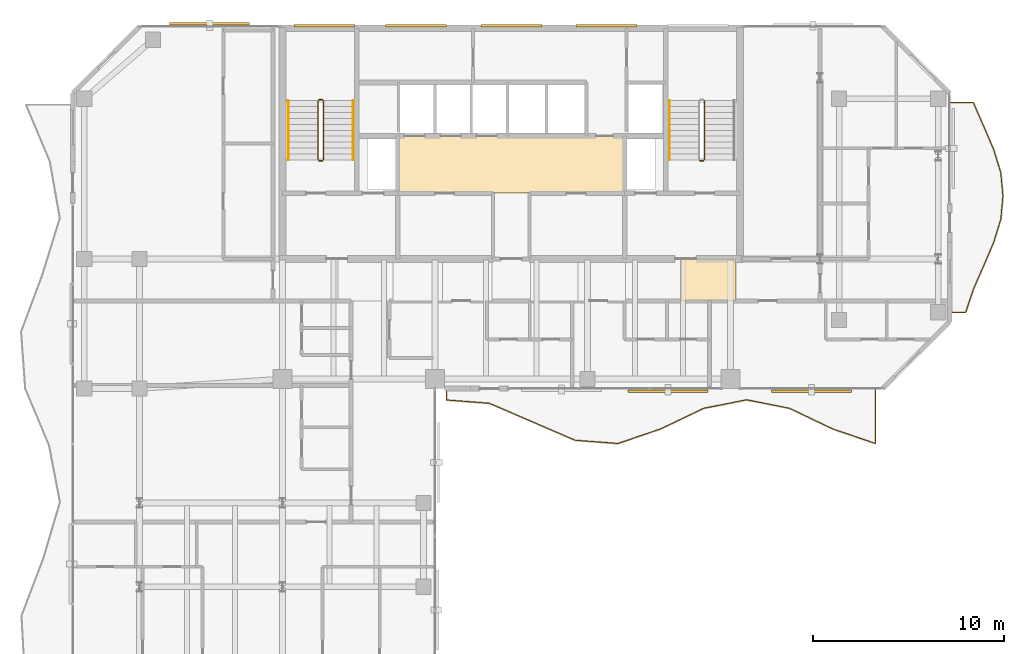
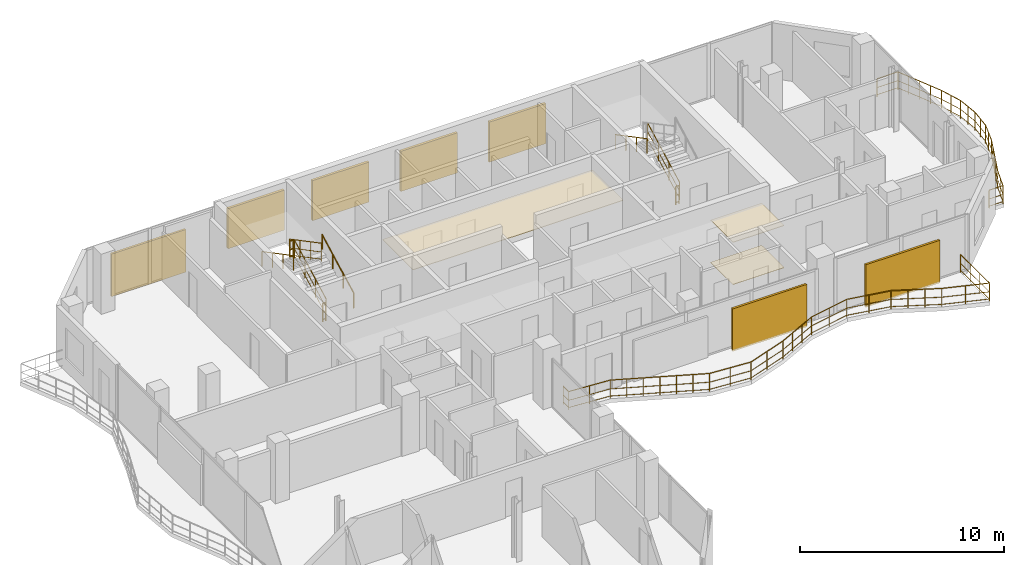
# One storey, part 22 of 23: 11 railings, 7 shading devices, 3 coverings.
"""IFC4 building model written with IfcOpenShell, lengths in metres."""

from ifc_helpers import new_model, si_unit, direction, frame, origin, origin_2d, place, context, subcontext, project, spatial, polyline, rectangle, circle, outline, extrude, material, layer, layer_set, type_object, element, save


model = new_model("IFC4")

# Units and contexts
model_context = context("Model", 3, precision=1e-05, world=origin(), true_north=direction((0.0, 1.0)))
body_context = subcontext(model_context, "Body", "Model", "MODEL_VIEW")
ifc_project = project(units=[si_unit("LENGTHUNIT", "METRE"), si_unit("AREAUNIT", "SQUARE_METRE"), si_unit("VOLUMEUNIT", "CUBIC_METRE"), si_unit("PLANEANGLEUNIT", "RADIAN"), si_unit("MASSUNIT", "GRAM", prefix="KILO")], contexts=[model_context])

# Site, building, storey
site_placement = place(None, origin())
site = spatial("IfcSite", under=ifc_project, at=site_placement, CompositionType="ELEMENT")
building_placement = place(site_placement, origin())
building = spatial("IfcBuilding", under=site, at=building_placement, Name="Catumbela Crestline Tower", CompositionType="ELEMENT")
storey_placement = place(building_placement, frame((0.0, 0.0, 179.4)))
storey = spatial("IfcBuildingStorey", under=building, at=storey_placement, Name="L46", CompositionType="ELEMENT", Elevation=179.4)

# Coverings
ifc_material_1 = material(Name="Mineral-fibre acoustic ceiling")
ifc_layer_1 = layer(ifc_material_1, 0.03, Name="Mineral-fibre acoustic ceiling")
ifc_layer_set_1 = layer_set([ifc_layer_1], Name="Mineral-fibre acoustic ceiling")
covering_type_1 = type_object("IfcCoveringType", Name="CC-AC", PredefinedType="CEILING", material=ifc_layer_set_1)
covering_1_placement = place(storey_placement, frame((0.0, 0.0, 2.65)))
element("IfcCovering", 1, at=covering_1_placement, inside=storey, type_object=covering_type_1, Name="L46 Lift Lobby Acoustic Ceiling", PredefinedType="CEILING", context=body_context, shape_type="SweptSolid", body=[
    extrude(outline(polyline([(22.05, 34.25), (33.95, 34.25), (33.95, 37.25), (22.05, 37.25), (22.05, 34.25)])), origin(), (0.0, 0.0, 1.0), 0.03),
])
covering_2_placement = place(storey_placement, frame((0.0, 0.0, 2.52)))
element("IfcCovering", 2, at=covering_2_placement, inside=storey, type_object=covering_type_1, Name="L46 Corridor Acoustic Ceiling Bay 8", PredefinedType="CEILING", context=body_context, shape_type="SweptSolid", body=[
    extrude(outline(polyline([(36.9, 28.6), (39.8, 28.6), (39.8, 30.8), (36.9, 30.8), (36.9, 28.6)])), origin(), (0.0, 0.0, 1.0), 0.03),
])
ifc_material_2 = material(Name="Angolan grey-ochre granite", Category="masonry")
ifc_layer_2 = layer(ifc_material_2, 0.025, Name="Angolan grey-ochre granite")
ifc_layer_set_2 = layer_set([ifc_layer_2], Name="Angolan grey-ochre granite")
covering_type_2 = type_object("IfcCoveringType", Name="CF-GR", PredefinedType="FLOORING", material=ifc_layer_set_2)
covering_3_placement = place(storey_placement, origin())
element("IfcCovering", 3, at=covering_3_placement, inside=storey, type_object=covering_type_2, Name="L46 Corridor Granite Flooring Bay 8", PredefinedType="FLOORING", context=body_context, shape_type="SweptSolid", body=[
    extrude(outline(polyline([(36.9, 28.6), (39.8, 28.6), (39.8, 30.8), (36.9, 30.8), (36.9, 28.6)])), origin(), (0.0, 0.0, 1.0), 0.025),
])

# Railings
ifc_material_3 = material(Name="Stainless steel EN 1.4401", Category="steel")
railing_type_1 = type_object("IfcRailingType", Name="RB-1100", PredefinedType="BALUSTRADE", material=ifc_material_3)
railing_1_placement = place(storey_placement, frame((24.6, 23.94, 0.0)))
element("IfcRailing", 4, at=railing_1_placement, inside=storey, type_object=railing_type_1, Name="L46 Private Wave Balcony Balustrade 1", PredefinedType="BALUSTRADE", context=body_context, shape_type="SweptSolid", body=[
    extrude(circle(Radius=0.024, at=origin_2d()), frame((0.0, 0.0, 1.076), z_axis=(0.0, -1.0, 0.0), x_axis=(1.0, 0.0, 0.0)), (0.0, 0.0, 1.0), 0.5387),
    extrude(circle(Radius=0.0156, at=origin_2d()), frame((0.0, 0.0, 0.55), z_axis=(0.0, -1.0, 0.0), x_axis=(1.0, 0.0, 0.0)), (0.0, 0.0, 1.0), 0.5387),
    extrude(circle(Radius=0.0156, at=origin_2d()), frame((0.0, 0.0, 0.12), z_axis=(0.0, -1.0, 0.0), x_axis=(1.0, 0.0, 0.0)), (0.0, 0.0, 1.0), 0.5387),
    extrude(circle(Radius=0.024, at=origin_2d()), frame((0.0, -0.5387, 1.076), z_axis=(0.997141170455, -0.075561142028, 0.0), x_axis=(0.075561142028, 0.997141170455, 0.0)), (0.0, 0.0, 1.0), 2.2565),
    extrude(circle(Radius=0.0156, at=origin_2d()), frame((0.0, -0.5387, 0.55), z_axis=(0.997141170455, -0.075561142028, 0.0), x_axis=(0.075561142028, 0.997141170455, 0.0)), (0.0, 0.0, 1.0), 2.2565),
    extrude(circle(Radius=0.0156, at=origin_2d()), frame((0.0, -0.5387, 0.12), z_axis=(0.997141170455, -0.075561142028, 0.0), x_axis=(0.075561142028, 0.997141170455, 0.0)), (0.0, 0.0, 1.0), 2.2565),
    extrude(circle(Radius=0.024, at=origin_2d()), frame((2.25, -0.7092, 1.076), z_axis=(0.918179780553, -0.396163969316, 0.0), x_axis=(0.396163969316, 0.918179780553, 0.0)), (0.0, 0.0, 1.0), 2.4505),
    extrude(circle(Radius=0.0156, at=origin_2d()), frame((2.25, -0.7092, 0.55), z_axis=(0.918179780553, -0.396163969316, 0.0), x_axis=(0.396163969316, 0.918179780553, 0.0)), (0.0, 0.0, 1.0), 2.4505),
    extrude(circle(Radius=0.0156, at=origin_2d()), frame((2.25, -0.7092, 0.12), z_axis=(0.918179780553, -0.396163969316, 0.0), x_axis=(0.396163969316, 0.918179780553, 0.0)), (0.0, 0.0, 1.0), 2.4505),
    extrude(circle(Radius=0.024, at=origin_2d()), frame((4.5, -1.68, 1.076), z_axis=(0.918179780553, -0.396163969316, 0.0), x_axis=(0.396163969316, 0.918179780553, 0.0)), (0.0, 0.0, 1.0), 2.4505),
    extrude(circle(Radius=0.0156, at=origin_2d()), frame((4.5, -1.68, 0.55), z_axis=(0.918179780553, -0.396163969316, 0.0), x_axis=(0.396163969316, 0.918179780553, 0.0)), (0.0, 0.0, 1.0), 2.4505),
    extrude(circle(Radius=0.0156, at=origin_2d()), frame((4.5, -1.68, 0.12), z_axis=(0.918179780553, -0.396163969316, 0.0), x_axis=(0.396163969316, 0.918179780553, 0.0)), (0.0, 0.0, 1.0), 2.4505),
    extrude(circle(Radius=0.024, at=origin_2d()), frame((6.75, -2.6508, 1.076), z_axis=(0.997141170455, -0.075561142028, 0.0), x_axis=(0.075561142028, 0.997141170455, 0.0)), (0.0, 0.0, 1.0), 2.2565),
    extrude(circle(Radius=0.0156, at=origin_2d()), frame((6.75, -2.6508, 0.55), z_axis=(0.997141170455, -0.075561142028, 0.0), x_axis=(0.075561142028, 0.997141170455, 0.0)), (0.0, 0.0, 1.0), 2.2565),
    extrude(circle(Radius=0.0156, at=origin_2d()), frame((6.75, -2.6508, 0.12), z_axis=(0.997141170455, -0.075561142028, 0.0), x_axis=(0.075561142028, 0.997141170455, 0.0)), (0.0, 0.0, 1.0), 2.2565),
    extrude(circle(Radius=0.024, at=origin_2d()), frame((9.0, -2.8213, 1.076), z_axis=(0.946065665735, 0.323974931311, 0.0), x_axis=(-0.323974931311, 0.946065665735, 0.0)), (0.0, 0.0, 1.0), 2.3783),
    extrude(circle(Radius=0.0156, at=origin_2d()), frame((9.0, -2.8213, 0.55), z_axis=(0.946065665735, 0.323974931311, 0.0), x_axis=(-0.323974931311, 0.946065665735, 0.0)), (0.0, 0.0, 1.0), 2.3783),
    extrude(circle(Radius=0.0156, at=origin_2d()), frame((9.0, -2.8213, 0.12), z_axis=(0.946065665735, 0.323974931311, 0.0), x_axis=(-0.323974931311, 0.946065665735, 0.0)), (0.0, 0.0, 1.0), 2.3783),
    extrude(circle(Radius=0.024, at=origin_2d()), frame((11.25, -2.0508, 1.076), z_axis=(0.902132186045, 0.431459753513, 0.0), x_axis=(-0.431459753513, 0.902132186045, 0.0)), (0.0, 0.0, 1.0), 2.4941),
    extrude(circle(Radius=0.0156, at=origin_2d()), frame((11.25, -2.0508, 0.55), z_axis=(0.902132186045, 0.431459753513, 0.0), x_axis=(-0.431459753513, 0.902132186045, 0.0)), (0.0, 0.0, 1.0), 2.4941),
    extrude(circle(Radius=0.0156, at=origin_2d()), frame((11.25, -2.0508, 0.12), z_axis=(0.902132186045, 0.431459753513, 0.0), x_axis=(-0.431459753513, 0.902132186045, 0.0)), (0.0, 0.0, 1.0), 2.4941),
    extrude(circle(Radius=0.024, at=origin_2d()), frame((13.5, -0.9747, 1.076), z_axis=(0.981022553047, 0.193893657484, 0.0), x_axis=(-0.193893657484, 0.981022553047, 0.0)), (0.0, 0.0, 1.0), 2.2935),
    extrude(circle(Radius=0.0156, at=origin_2d()), frame((13.5, -0.9747, 0.55), z_axis=(0.981022553047, 0.193893657484, 0.0), x_axis=(-0.193893657484, 0.981022553047, 0.0)), (0.0, 0.0, 1.0), 2.2935),
    extrude(circle(Radius=0.0156, at=origin_2d()), frame((13.5, -0.9747, 0.12), z_axis=(0.981022553047, 0.193893657484, 0.0), x_axis=(-0.193893657484, 0.981022553047, 0.0)), (0.0, 0.0, 1.0), 2.2935),
    extrude(circle(Radius=0.024, at=origin_2d()), frame((15.75, -0.53, 1.076), z_axis=(0.981022553047, -0.193893657484, 0.0), x_axis=(0.193893657484, 0.981022553047, 0.0)), (0.0, 0.0, 1.0), 2.2935),
    extrude(circle(Radius=0.0156, at=origin_2d()), frame((15.75, -0.53, 0.55), z_axis=(0.981022553047, -0.193893657484, 0.0), x_axis=(0.193893657484, 0.981022553047, 0.0)), (0.0, 0.0, 1.0), 2.2935),
    extrude(circle(Radius=0.0156, at=origin_2d()), frame((15.75, -0.53, 0.12), z_axis=(0.981022553047, -0.193893657484, 0.0), x_axis=(0.193893657484, 0.981022553047, 0.0)), (0.0, 0.0, 1.0), 2.2935),
    extrude(circle(Radius=0.024, at=origin_2d()), frame((18.0, -0.9747, 1.076), z_axis=(0.902132186045, -0.431459753513, 0.0), x_axis=(0.431459753513, 0.902132186045, 0.0)), (0.0, 0.0, 1.0), 2.4941),
    extrude(circle(Radius=0.0156, at=origin_2d()), frame((18.0, -0.9747, 0.55), z_axis=(0.902132186045, -0.431459753513, 0.0), x_axis=(0.431459753513, 0.902132186045, 0.0)), (0.0, 0.0, 1.0), 2.4941),
    extrude(circle(Radius=0.0156, at=origin_2d()), frame((18.0, -0.9747, 0.12), z_axis=(0.902132186045, -0.431459753513, 0.0), x_axis=(0.431459753513, 0.902132186045, 0.0)), (0.0, 0.0, 1.0), 2.4941),
    extrude(circle(Radius=0.024, at=origin_2d()), frame((20.25, -2.0508, 1.076), z_axis=(0.946065665735, -0.323974931311, 0.0), x_axis=(0.323974931311, 0.946065665735, 0.0)), (0.0, 0.0, 1.0), 2.3783),
    extrude(circle(Radius=0.0156, at=origin_2d()), frame((20.25, -2.0508, 0.55), z_axis=(0.946065665735, -0.323974931311, 0.0), x_axis=(0.323974931311, 0.946065665735, 0.0)), (0.0, 0.0, 1.0), 2.3783),
    extrude(circle(Radius=0.0156, at=origin_2d()), frame((20.25, -2.0508, 0.12), z_axis=(0.946065665735, -0.323974931311, 0.0), x_axis=(0.323974931311, 0.946065665735, 0.0)), (0.0, 0.0, 1.0), 2.3783),
    extrude(circle(Radius=0.024, at=origin_2d()), frame((22.5, -2.8213, 1.076), z_axis=(0.0, 1.0, 0.0), x_axis=(-1.0, 0.0, 0.0)), (0.0, 0.0, 1.0), 2.8213),
    extrude(circle(Radius=0.0156, at=origin_2d()), frame((22.5, -2.8213, 0.55), z_axis=(0.0, 1.0, 0.0), x_axis=(-1.0, 0.0, 0.0)), (0.0, 0.0, 1.0), 2.8213),
    extrude(circle(Radius=0.0156, at=origin_2d()), frame((22.5, -2.8213, 0.12), z_axis=(0.0, 1.0, 0.0), x_axis=(-1.0, 0.0, 0.0)), (0.0, 0.0, 1.0), 2.8213),
    extrude(circle(Radius=0.021, at=origin_2d()), origin(), (0.0, 0.0, 1.0), 1.052),
    extrude(circle(Radius=0.021, at=origin_2d()), frame((0.0, -0.5387, 0.0)), (0.0, 0.0, 1.0), 1.052),
    extrude(circle(Radius=0.021, at=origin_2d()), frame((1.125, -0.624, 0.0)), (0.0, 0.0, 1.0), 1.052),
    extrude(circle(Radius=0.021, at=origin_2d()), frame((2.25, -0.7092, 0.0)), (0.0, 0.0, 1.0), 1.052),
    extrude(circle(Radius=0.021, at=origin_2d()), frame((3.0, -1.0328, 0.0)), (0.0, 0.0, 1.0), 1.052),
    extrude(circle(Radius=0.021, at=origin_2d()), frame((3.75, -1.3564, 0.0)), (0.0, 0.0, 1.0), 1.052),
    extrude(circle(Radius=0.021, at=origin_2d()), frame((4.5, -1.68, 0.0)), (0.0, 0.0, 1.0), 1.052),
    extrude(circle(Radius=0.021, at=origin_2d()), frame((5.25, -2.0036, 0.0)), (0.0, 0.0, 1.0), 1.052),
    extrude(circle(Radius=0.021, at=origin_2d()), frame((6.0, -2.3272, 0.0)), (0.0, 0.0, 1.0), 1.052),
    extrude(circle(Radius=0.021, at=origin_2d()), frame((6.75, -2.6508, 0.0)), (0.0, 0.0, 1.0), 1.052),
    extrude(circle(Radius=0.021, at=origin_2d()), frame((7.875, -2.7361, 0.0)), (0.0, 0.0, 1.0), 1.052),
    extrude(circle(Radius=0.021, at=origin_2d()), frame((9.0, -2.8213, 0.0)), (0.0, 0.0, 1.0), 1.052),
    extrude(circle(Radius=0.021, at=origin_2d()), frame((10.125, -2.4361, 0.0)), (0.0, 0.0, 1.0), 1.052),
    extrude(circle(Radius=0.021, at=origin_2d()), frame((11.25, -2.0508, 0.0)), (0.0, 0.0, 1.0), 1.052),
    extrude(circle(Radius=0.021, at=origin_2d()), frame((12.0, -1.6921, 0.0)), (0.0, 0.0, 1.0), 1.052),
    extrude(circle(Radius=0.021, at=origin_2d()), frame((12.75, -1.3334, 0.0)), (0.0, 0.0, 1.0), 1.052),
    extrude(circle(Radius=0.021, at=origin_2d()), frame((13.5, -0.9747, 0.0)), (0.0, 0.0, 1.0), 1.052),
    extrude(circle(Radius=0.021, at=origin_2d()), frame((14.625, -0.7524, 0.0)), (0.0, 0.0, 1.0), 1.052),
    extrude(circle(Radius=0.021, at=origin_2d()), frame((15.75, -0.53, 0.0)), (0.0, 0.0, 1.0), 1.052),
    extrude(circle(Radius=0.021, at=origin_2d()), frame((16.875, -0.7524, 0.0)), (0.0, 0.0, 1.0), 1.052),
    extrude(circle(Radius=0.021, at=origin_2d()), frame((18.0, -0.9747, 0.0)), (0.0, 0.0, 1.0), 1.052),
    extrude(circle(Radius=0.021, at=origin_2d()), frame((18.75, -1.3334, 0.0)), (0.0, 0.0, 1.0), 1.052),
    extrude(circle(Radius=0.021, at=origin_2d()), frame((19.5, -1.6921, 0.0)), (0.0, 0.0, 1.0), 1.052),
    extrude(circle(Radius=0.021, at=origin_2d()), frame((20.25, -2.0508, 0.0)), (0.0, 0.0, 1.0), 1.052),
    extrude(circle(Radius=0.021, at=origin_2d()), frame((21.375, -2.4361, 0.0)), (0.0, 0.0, 1.0), 1.052),
    extrude(circle(Radius=0.021, at=origin_2d()), frame((22.5, -2.8213, 0.0)), (0.0, 0.0, 1.0), 1.052),
    extrude(circle(Radius=0.021, at=origin_2d()), frame((22.5, -1.8809, 0.0)), (0.0, 0.0, 1.0), 1.052),
    extrude(circle(Radius=0.021, at=origin_2d()), frame((22.5, -0.9404, 0.0)), (0.0, 0.0, 1.0), 1.052),
    extrude(circle(Radius=0.021, at=origin_2d()), frame((22.5, 0.0, 0.0)), (0.0, 0.0, 1.0), 1.052),
])
railing_2_placement = place(storey_placement, frame((51.06, 28.0, 0.0)))
element("IfcRailing", 5, at=railing_2_placement, inside=storey, type_object=railing_type_1, Name="L46 Private Wave Balcony Balustrade 2", PredefinedType="BALUSTRADE", context=body_context, shape_type="SweptSolid", body=[
    extrude(circle(Radius=0.024, at=origin_2d()), frame((0.0, 0.0, 1.076), z_axis=(1.0, 0.0, 0.0), x_axis=(0.0, 1.0, 0.0)), (0.0, 0.0, 1.0), 0.7801),
    extrude(circle(Radius=0.0156, at=origin_2d()), frame((0.0, 0.0, 0.55), z_axis=(1.0, 0.0, 0.0), x_axis=(0.0, 1.0, 0.0)), (0.0, 0.0, 1.0), 0.7801),
    extrude(circle(Radius=0.0156, at=origin_2d()), frame((0.0, 0.0, 0.12), z_axis=(1.0, 0.0, 0.0), x_axis=(0.0, 1.0, 0.0)), (0.0, 0.0, 1.0), 0.7801),
    extrude(circle(Radius=0.024, at=origin_2d()), frame((0.7801, 0.0, 1.076), z_axis=(0.316576995993, 0.948566816628, 0.0), x_axis=(-0.948566816628, 0.316576995993, 0.0)), (0.0, 0.0, 1.0), 1.2885),
    extrude(circle(Radius=0.0156, at=origin_2d()), frame((0.7801, 0.0, 0.55), z_axis=(0.316576995993, 0.948566816628, 0.0), x_axis=(-0.948566816628, 0.316576995993, 0.0)), (0.0, 0.0, 1.0), 1.2885),
    extrude(circle(Radius=0.0156, at=origin_2d()), frame((0.7801, 0.0, 0.12), z_axis=(0.316576995993, 0.948566816628, 0.0), x_axis=(-0.948566816628, 0.316576995993, 0.0)), (0.0, 0.0, 1.0), 1.2885),
    extrude(circle(Radius=0.024, at=origin_2d()), frame((1.188, 1.2222, 1.076), z_axis=(0.400433361112, 0.916325882702, 0.0), x_axis=(-0.916325882702, 0.400433361112, 0.0)), (0.0, 0.0, 1.0), 1.3338),
    extrude(circle(Radius=0.0156, at=origin_2d()), frame((1.188, 1.2222, 0.55), z_axis=(0.400433361112, 0.916325882702, 0.0), x_axis=(-0.916325882702, 0.400433361112, 0.0)), (0.0, 0.0, 1.0), 1.3338),
    extrude(circle(Radius=0.0156, at=origin_2d()), frame((1.188, 1.2222, 0.12), z_axis=(0.400433361112, 0.916325882702, 0.0), x_axis=(-0.916325882702, 0.400433361112, 0.0)), (0.0, 0.0, 1.0), 1.3338),
    extrude(circle(Radius=0.024, at=origin_2d()), frame((1.7221, 2.4444, 1.076), z_axis=(0.39357434186, 0.919292792003, 0.0), x_axis=(-0.919292792003, 0.39357434186, 0.0)), (0.0, 0.0, 1.0), 1.3296),
    extrude(circle(Radius=0.0156, at=origin_2d()), frame((1.7221, 2.4444, 0.55), z_axis=(0.39357434186, 0.919292792003, 0.0), x_axis=(-0.919292792003, 0.39357434186, 0.0)), (0.0, 0.0, 1.0), 1.3296),
    extrude(circle(Radius=0.0156, at=origin_2d()), frame((1.7221, 2.4444, 0.12), z_axis=(0.39357434186, 0.919292792003, 0.0), x_axis=(-0.919292792003, 0.39357434186, 0.0)), (0.0, 0.0, 1.0), 1.3296),
    extrude(circle(Radius=0.024, at=origin_2d()), frame((2.2454, 3.6667, 1.076), z_axis=(0.295683728071, 0.955285890691, 0.0), x_axis=(-0.955285890691, 0.295683728071, 0.0)), (0.0, 0.0, 1.0), 1.2794),
    extrude(circle(Radius=0.0156, at=origin_2d()), frame((2.2454, 3.6667, 0.55), z_axis=(0.295683728071, 0.955285890691, 0.0), x_axis=(-0.955285890691, 0.295683728071, 0.0)), (0.0, 0.0, 1.0), 1.2794),
    extrude(circle(Radius=0.0156, at=origin_2d()), frame((2.2454, 3.6667, 0.12), z_axis=(0.295683728071, 0.955285890691, 0.0), x_axis=(-0.955285890691, 0.295683728071, 0.0)), (0.0, 0.0, 1.0), 1.2794),
    extrude(circle(Radius=0.024, at=origin_2d()), frame((2.6237, 4.8889, 1.076), z_axis=(0.086647203358, 0.996239058736, 0.0), x_axis=(-0.996239058736, 0.086647203358, 0.0)), (0.0, 0.0, 1.0), 1.2268),
    extrude(circle(Radius=0.0156, at=origin_2d()), frame((2.6237, 4.8889, 0.55), z_axis=(0.086647203358, 0.996239058736, 0.0), x_axis=(-0.996239058736, 0.086647203358, 0.0)), (0.0, 0.0, 1.0), 1.2268),
    extrude(circle(Radius=0.0156, at=origin_2d()), frame((2.6237, 4.8889, 0.12), z_axis=(0.086647203358, 0.996239058736, 0.0), x_axis=(-0.996239058736, 0.086647203358, 0.0)), (0.0, 0.0, 1.0), 1.2268),
    extrude(circle(Radius=0.024, at=origin_2d()), frame((2.73, 6.1111, 1.076), z_axis=(-0.090124297241, 0.995930525211, 0.0), x_axis=(-0.995930525211, -0.090124297241, 0.0)), (0.0, 0.0, 1.0), 1.2272),
    extrude(circle(Radius=0.0156, at=origin_2d()), frame((2.73, 6.1111, 0.55), z_axis=(-0.090124297241, 0.995930525211, 0.0), x_axis=(-0.995930525211, -0.090124297241, 0.0)), (0.0, 0.0, 1.0), 1.2272),
    extrude(circle(Radius=0.0156, at=origin_2d()), frame((2.73, 6.1111, 0.12), z_axis=(-0.090124297241, 0.995930525211, 0.0), x_axis=(-0.995930525211, -0.090124297241, 0.0)), (0.0, 0.0, 1.0), 1.2272),
    extrude(circle(Radius=0.024, at=origin_2d()), frame((2.6194, 7.3333, 1.076), z_axis=(-0.297941463031, 0.954584142235, 0.0), x_axis=(-0.954584142235, -0.297941463031, 0.0)), (0.0, 0.0, 1.0), 1.2805),
    extrude(circle(Radius=0.0156, at=origin_2d()), frame((2.6194, 7.3333, 0.55), z_axis=(-0.297941463031, 0.954584142235, 0.0), x_axis=(-0.954584142235, -0.297941463031, 0.0)), (0.0, 0.0, 1.0), 1.2805),
    extrude(circle(Radius=0.0156, at=origin_2d()), frame((2.6194, 7.3333, 0.12), z_axis=(-0.297941463031, 0.954584142235, 0.0), x_axis=(-0.954584142235, -0.297941463031, 0.0)), (0.0, 0.0, 1.0), 1.2805),
    extrude(circle(Radius=0.024, at=origin_2d()), frame((2.2379, 8.5556, 1.076), z_axis=(-0.394427394144, 0.918927108507, 0.0), x_axis=(-0.918927108507, -0.394427394144, 0.0)), (0.0, 0.0, 1.0), 1.33),
    extrude(circle(Radius=0.0156, at=origin_2d()), frame((2.2379, 8.5556, 0.55), z_axis=(-0.394427394144, 0.918927108507, 0.0), x_axis=(-0.918927108507, -0.394427394144, 0.0)), (0.0, 0.0, 1.0), 1.33),
    extrude(circle(Radius=0.0156, at=origin_2d()), frame((2.2379, 8.5556, 0.12), z_axis=(-0.394427394144, 0.918927108507, 0.0), x_axis=(-0.918927108507, -0.394427394144, 0.0)), (0.0, 0.0, 1.0), 1.33),
    extrude(circle(Radius=0.024, at=origin_2d()), frame((1.7133, 9.7778, 1.076), z_axis=(-0.399803560484, 0.916600847165, 0.0), x_axis=(-0.916600847165, -0.399803560484, 0.0)), (0.0, 0.0, 1.0), 1.3334),
    extrude(circle(Radius=0.0156, at=origin_2d()), frame((1.7133, 9.7778, 0.55), z_axis=(-0.399803560484, 0.916600847165, 0.0), x_axis=(-0.916600847165, -0.399803560484, 0.0)), (0.0, 0.0, 1.0), 1.3334),
    extrude(circle(Radius=0.0156, at=origin_2d()), frame((1.7133, 9.7778, 0.12), z_axis=(-0.399803560484, 0.916600847165, 0.0), x_axis=(-0.916600847165, -0.399803560484, 0.0)), (0.0, 0.0, 1.0), 1.3334),
    extrude(circle(Radius=0.024, at=origin_2d()), frame((1.1802, 11.0, 1.076), z_axis=(-1.0, 0.0, 0.0), x_axis=(0.0, -1.0, 0.0)), (0.0, 0.0, 1.0), 1.1802),
    extrude(circle(Radius=0.0156, at=origin_2d()), frame((1.1802, 11.0, 0.55), z_axis=(-1.0, 0.0, 0.0), x_axis=(0.0, -1.0, 0.0)), (0.0, 0.0, 1.0), 1.1802),
    extrude(circle(Radius=0.0156, at=origin_2d()), frame((1.1802, 11.0, 0.12), z_axis=(-1.0, 0.0, 0.0), x_axis=(0.0, -1.0, 0.0)), (0.0, 0.0, 1.0), 1.1802),
    extrude(circle(Radius=0.021, at=origin_2d()), origin(), (0.0, 0.0, 1.0), 1.052),
    extrude(circle(Radius=0.021, at=origin_2d()), frame((0.7801, 0.0, 0.0)), (0.0, 0.0, 1.0), 1.052),
    extrude(circle(Radius=0.021, at=origin_2d()), frame((0.984, 0.6111, 0.0)), (0.0, 0.0, 1.0), 1.052),
    extrude(circle(Radius=0.021, at=origin_2d()), frame((1.188, 1.2222, 0.0)), (0.0, 0.0, 1.0), 1.052),
    extrude(circle(Radius=0.021, at=origin_2d()), frame((1.455, 1.8333, 0.0)), (0.0, 0.0, 1.0), 1.052),
    extrude(circle(Radius=0.021, at=origin_2d()), frame((1.7221, 2.4444, 0.0)), (0.0, 0.0, 1.0), 1.052),
    extrude(circle(Radius=0.021, at=origin_2d()), frame((1.9837, 3.0556, 0.0)), (0.0, 0.0, 1.0), 1.052),
    extrude(circle(Radius=0.021, at=origin_2d()), frame((2.2454, 3.6667, 0.0)), (0.0, 0.0, 1.0), 1.052),
    extrude(circle(Radius=0.021, at=origin_2d()), frame((2.4345, 4.2778, 0.0)), (0.0, 0.0, 1.0), 1.052),
    extrude(circle(Radius=0.021, at=origin_2d()), frame((2.6237, 4.8889, 0.0)), (0.0, 0.0, 1.0), 1.052),
    extrude(circle(Radius=0.021, at=origin_2d()), frame((2.6768, 5.5, 0.0)), (0.0, 0.0, 1.0), 1.052),
    extrude(circle(Radius=0.021, at=origin_2d()), frame((2.73, 6.1111, 0.0)), (0.0, 0.0, 1.0), 1.052),
    extrude(circle(Radius=0.021, at=origin_2d()), frame((2.6747, 6.7222, 0.0)), (0.0, 0.0, 1.0), 1.052),
    extrude(circle(Radius=0.021, at=origin_2d()), frame((2.6194, 7.3333, 0.0)), (0.0, 0.0, 1.0), 1.052),
    extrude(circle(Radius=0.021, at=origin_2d()), frame((2.4286, 7.9444, 0.0)), (0.0, 0.0, 1.0), 1.052),
    extrude(circle(Radius=0.021, at=origin_2d()), frame((2.2379, 8.5556, 0.0)), (0.0, 0.0, 1.0), 1.052),
    extrude(circle(Radius=0.021, at=origin_2d()), frame((1.9756, 9.1667, 0.0)), (0.0, 0.0, 1.0), 1.052),
    extrude(circle(Radius=0.021, at=origin_2d()), frame((1.7133, 9.7778, 0.0)), (0.0, 0.0, 1.0), 1.052),
    extrude(circle(Radius=0.021, at=origin_2d()), frame((1.4467, 10.3889, 0.0)), (0.0, 0.0, 1.0), 1.052),
    extrude(circle(Radius=0.021, at=origin_2d()), frame((1.1802, 11.0, 0.0)), (0.0, 0.0, 1.0), 1.052),
    extrude(circle(Radius=0.021, at=origin_2d()), frame((0.0, 11.0, 0.0)), (0.0, 0.0, 1.0), 1.052),
])
railing_type_2 = type_object("IfcRailingType", Name="RG-1100", PredefinedType="GUARDRAIL", material=ifc_material_3)
railing_3_placement = place(storey_placement, frame((18.14, 36.0, 0.1636)))
element("IfcRailing", 6, at=railing_3_placement, inside=storey, type_object=railing_type_2, Name="L46 ST-01 stair guard 1", PredefinedType="GUARDRAIL", context=body_context, shape_type="SweptSolid", body=[
    extrude(circle(Radius=0.024, at=origin_2d()), frame((0.0, 0.0, 1.076), z_axis=(0.0, 0.884350731049, 0.466823076222), x_axis=(-1.0, 0.0, 0.0)), (0.0, 0.0, 1.0), 3.5054),
    extrude(circle(Radius=0.0156, at=origin_2d()), frame((0.0, 0.0, 0.55), z_axis=(0.0, 0.884350731049, 0.466823076222), x_axis=(-1.0, 0.0, 0.0)), (0.0, 0.0, 1.0), 3.5054),
    extrude(circle(Radius=0.0156, at=origin_2d()), frame((0.0, 0.0, 0.12), z_axis=(0.0, 0.884350731049, 0.466823076222), x_axis=(-1.0, 0.0, 0.0)), (0.0, 0.0, 1.0), 3.5054),
    extrude(circle(Radius=0.021, at=origin_2d()), origin(), (0.0, 0.0, 1.0), 1.052),
    extrude(circle(Radius=0.021, at=origin_2d()), frame((0.0, 1.0333, 0.5455)), (0.0, 0.0, 1.0), 1.052),
    extrude(circle(Radius=0.021, at=origin_2d()), frame((0.0, 2.0667, 1.0909)), (0.0, 0.0, 1.0), 1.052),
    extrude(circle(Radius=0.021, at=origin_2d()), frame((0.0, 3.1, 1.6364)), (0.0, 0.0, 1.0), 1.052),
])
railing_4_placement = place(storey_placement, frame((18.09, 39.15, 1.8)))
element("IfcRailing", 7, at=railing_4_placement, inside=storey, type_object=railing_type_2, Name="L46 ST-01 stair guard 2", PredefinedType="GUARDRAIL", context=body_context, shape_type="SweptSolid", body=[
    extrude(circle(Radius=0.024, at=origin_2d()), frame((0.0, 0.0, 1.076), z_axis=(-1.0, 0.0, 0.0), x_axis=(0.0, -1.0, 0.0)), (0.0, 0.0, 1.0), 0.18),
    extrude(circle(Radius=0.0156, at=origin_2d()), frame((0.0, 0.0, 0.55), z_axis=(-1.0, 0.0, 0.0), x_axis=(0.0, -1.0, 0.0)), (0.0, 0.0, 1.0), 0.18),
    extrude(circle(Radius=0.0156, at=origin_2d()), frame((0.0, 0.0, 0.12), z_axis=(-1.0, 0.0, 0.0), x_axis=(0.0, -1.0, 0.0)), (0.0, 0.0, 1.0), 0.18),
    extrude(circle(Radius=0.021, at=origin_2d()), origin(), (0.0, 0.0, 1.0), 1.052),
    extrude(circle(Radius=0.021, at=origin_2d()), frame((-0.18, 0.0, 0.0)), (0.0, 0.0, 1.0), 1.052),
])
railing_5_placement = place(storey_placement, frame((17.86, 39.1, 1.9636)))
element("IfcRailing", 8, at=railing_5_placement, inside=storey, type_object=railing_type_2, Name="L46 ST-01 stair guard 3", PredefinedType="GUARDRAIL", context=body_context, shape_type="SweptSolid", body=[
    extrude(circle(Radius=0.024, at=origin_2d()), frame((0.0, 0.0, 1.076), z_axis=(0.0, -0.884350731049, 0.466823076222), x_axis=(1.0, 0.0, 0.0)), (0.0, 0.0, 1.0), 3.5054),
    extrude(circle(Radius=0.0156, at=origin_2d()), frame((0.0, 0.0, 0.55), z_axis=(0.0, -0.884350731049, 0.466823076222), x_axis=(1.0, 0.0, 0.0)), (0.0, 0.0, 1.0), 3.5054),
    extrude(circle(Radius=0.0156, at=origin_2d()), frame((0.0, 0.0, 0.12), z_axis=(0.0, -0.884350731049, 0.466823076222), x_axis=(1.0, 0.0, 0.0)), (0.0, 0.0, 1.0), 3.5054),
    extrude(circle(Radius=0.021, at=origin_2d()), origin(), (0.0, 0.0, 1.0), 1.052),
    extrude(circle(Radius=0.021, at=origin_2d()), frame((0.0, -1.0333, 0.5455)), (0.0, 0.0, 1.0), 1.052),
    extrude(circle(Radius=0.021, at=origin_2d()), frame((0.0, -2.0667, 1.0909)), (0.0, 0.0, 1.0), 1.052),
    extrude(circle(Radius=0.021, at=origin_2d()), frame((0.0, -3.1, 1.6364)), (0.0, 0.0, 1.0), 1.052),
])
railing_6_placement = place(storey_placement, frame((18.09, 35.95, 0.0)))
element("IfcRailing", 9, at=railing_6_placement, inside=storey, type_object=railing_type_2, Name="L46 ST-01 stair guard 4", PredefinedType="GUARDRAIL", context=body_context, shape_type="SweptSolid", body=[
    extrude(circle(Radius=0.024, at=origin_2d()), frame((0.0, 0.0, 1.076), z_axis=(-1.0, 0.0, 0.0), x_axis=(0.0, -1.0, 0.0)), (0.0, 0.0, 1.0), 0.18),
    extrude(circle(Radius=0.0156, at=origin_2d()), frame((0.0, 0.0, 0.55), z_axis=(-1.0, 0.0, 0.0), x_axis=(0.0, -1.0, 0.0)), (0.0, 0.0, 1.0), 0.18),
    extrude(circle(Radius=0.0156, at=origin_2d()), frame((0.0, 0.0, 0.12), z_axis=(-1.0, 0.0, 0.0), x_axis=(0.0, -1.0, 0.0)), (0.0, 0.0, 1.0), 0.18),
    extrude(circle(Radius=0.021, at=origin_2d()), origin(), (0.0, 0.0, 1.0), 1.052),
    extrude(circle(Radius=0.021, at=origin_2d()), frame((-0.18, 0.0, 0.0)), (0.0, 0.0, 1.0), 1.052),
])
railing_7_placement = place(storey_placement, frame((38.14, 36.0, 0.1636)))
element("IfcRailing", 10, at=railing_7_placement, inside=storey, type_object=railing_type_2, Name="L46 ST-02 stair guard 1", PredefinedType="GUARDRAIL", context=body_context, shape_type="SweptSolid", body=[
    extrude(circle(Radius=0.024, at=origin_2d()), frame((0.0, 0.0, 1.076), z_axis=(0.0, 0.884350731049, 0.466823076222), x_axis=(-1.0, 0.0, 0.0)), (0.0, 0.0, 1.0), 3.5054),
    extrude(circle(Radius=0.0156, at=origin_2d()), frame((0.0, 0.0, 0.55), z_axis=(0.0, 0.884350731049, 0.466823076222), x_axis=(-1.0, 0.0, 0.0)), (0.0, 0.0, 1.0), 3.5054),
    extrude(circle(Radius=0.0156, at=origin_2d()), frame((0.0, 0.0, 0.12), z_axis=(0.0, 0.884350731049, 0.466823076222), x_axis=(-1.0, 0.0, 0.0)), (0.0, 0.0, 1.0), 3.5054),
    extrude(circle(Radius=0.021, at=origin_2d()), origin(), (0.0, 0.0, 1.0), 1.052),
    extrude(circle(Radius=0.021, at=origin_2d()), frame((0.0, 1.0333, 0.5455)), (0.0, 0.0, 1.0), 1.052),
    extrude(circle(Radius=0.021, at=origin_2d()), frame((0.0, 2.0667, 1.0909)), (0.0, 0.0, 1.0), 1.052),
    extrude(circle(Radius=0.021, at=origin_2d()), frame((0.0, 3.1, 1.6364)), (0.0, 0.0, 1.0), 1.052),
])
railing_8_placement = place(storey_placement, frame((38.09, 35.95, 0.0)))
element("IfcRailing", 11, at=railing_8_placement, inside=storey, type_object=railing_type_2, Name="L46 ST-02 stair guard 4", PredefinedType="GUARDRAIL", context=body_context, shape_type="SweptSolid", body=[
    extrude(circle(Radius=0.024, at=origin_2d()), frame((0.0, 0.0, 1.076), z_axis=(-1.0, 0.0, 0.0), x_axis=(0.0, -1.0, 0.0)), (0.0, 0.0, 1.0), 0.18),
    extrude(circle(Radius=0.0156, at=origin_2d()), frame((0.0, 0.0, 0.55), z_axis=(-1.0, 0.0, 0.0), x_axis=(0.0, -1.0, 0.0)), (0.0, 0.0, 1.0), 0.18),
    extrude(circle(Radius=0.0156, at=origin_2d()), frame((0.0, 0.0, 0.12), z_axis=(-1.0, 0.0, 0.0), x_axis=(0.0, -1.0, 0.0)), (0.0, 0.0, 1.0), 0.18),
    extrude(circle(Radius=0.021, at=origin_2d()), origin(), (0.0, 0.0, 1.0), 1.052),
    extrude(circle(Radius=0.021, at=origin_2d()), frame((-0.18, 0.0, 0.0)), (0.0, 0.0, 1.0), 1.052),
])
railing_type_3 = type_object("IfcRailingType", Name="RH-0900", PredefinedType="HANDRAIL", material=ifc_material_3)
railing_9_placement = place(storey_placement, frame((19.7, 36.0, 0.1636)))
element("IfcRailing", 12, at=railing_9_placement, inside=storey, type_object=railing_type_3, Name="L46 ST-01 stair handrail 1", PredefinedType="HANDRAIL", context=body_context, shape_type="SweptSolid", body=[
    extrude(circle(Radius=0.024, at=origin_2d()), frame((0.0, 0.0, 0.876), z_axis=(0.0, 0.884350731049, 0.466823076222), x_axis=(-1.0, 0.0, 0.0)), (0.0, 0.0, 1.0), 3.5054),
    extrude(circle(Radius=0.021, at=origin_2d()), origin(), (0.0, 0.0, 1.0), 0.852),
    extrude(circle(Radius=0.021, at=origin_2d()), frame((0.0, 1.0333, 0.5455)), (0.0, 0.0, 1.0), 0.852),
    extrude(circle(Radius=0.021, at=origin_2d()), frame((0.0, 2.0667, 1.0909)), (0.0, 0.0, 1.0), 0.852),
    extrude(circle(Radius=0.021, at=origin_2d()), frame((0.0, 3.1, 1.6364)), (0.0, 0.0, 1.0), 0.852),
])
for number, where, name in (
    (13, (16.3, 39.1, 1.9636), "L46 ST-01 stair handrail 2"),
    (14, (36.3, 39.1, 1.9636), "L46 ST-02 stair handrail 2"),
):
    element("IfcRailing", number, at=place(storey_placement, frame(where)), inside=storey, type_object=railing_type_3, Name=name, PredefinedType="HANDRAIL", context=body_context, shape_type="SweptSolid", body=[
        extrude(circle(Radius=0.024, at=origin_2d()), frame((0.0, 0.0, 0.876), z_axis=(0.0, -0.884350731049, 0.466823076222), x_axis=(1.0, 0.0, 0.0)), (0.0, 0.0, 1.0), 3.5054),
        extrude(circle(Radius=0.021, at=origin_2d()), origin(), (0.0, 0.0, 1.0), 0.852),
        extrude(circle(Radius=0.021, at=origin_2d()), frame((0.0, -1.0333, 0.5455)), (0.0, 0.0, 1.0), 0.852),
        extrude(circle(Radius=0.021, at=origin_2d()), frame((0.0, -2.0667, 1.0909)), (0.0, 0.0, 1.0), 0.852),
        extrude(circle(Radius=0.021, at=origin_2d()), frame((0.0, -3.1, 1.6364)), (0.0, 0.0, 1.0), 0.852),
    ])

# Shading devices
ifc_material_4 = material(Name="Extruded terracotta ceramic", Category="masonry")
shading_device_type_1 = type_object("IfcShadingDeviceType", Name="ST-180", PredefinedType="USERDEFINED", material=ifc_material_4)
shading_device_1_placement = place(storey_placement, frame((28.0, 43.04, 0.55), z_axis=(0.0, 0.0, 1.0), x_axis=(1.0, 0.0, 0.0)))
element("IfcShadingDevice", 15, at=shading_device_1_placement, inside=storey, type_object=shading_device_type_1, Name="L46 Rear Core Terracotta Brise-Soleil Screen 525", ObjectType="SCREEN", PredefinedType="USERDEFINED", context=body_context, shape_type="SweptSolid", body=[
    extrude(rectangle(XDim=3.2, YDim=0.14, at=origin_2d()), origin(), (0.0, 0.0, 1.0), 2.4),
])
shading_device_type_2 = type_object("IfcShadingDeviceType", Name="ST-260", PredefinedType="USERDEFINED", material=ifc_material_4)
shading_device_2_placement = place(storey_placement, frame((23.0, 43.04, 0.55), z_axis=(0.0, 0.0, 1.0), x_axis=(1.0, 0.0, 0.0)))
element("IfcShadingDevice", 16, at=shading_device_2_placement, inside=storey, type_object=shading_device_type_2, Name="L46 Rear Core Terracotta Brise-Soleil Screen 524", ObjectType="SCREEN", PredefinedType="USERDEFINED", context=body_context, shape_type="SweptSolid", body=[
    extrude(rectangle(XDim=3.2, YDim=0.14, at=origin_2d()), origin(), (0.0, 0.0, 1.0), 2.4),
])
for number, where, z_axis, x_axis, name in (
    (17, (36.2125, 23.857, -0.1), (0.0, 0.0, 1.0), (1.0, 0.0, 0.0), "L46 Perforated Terracotta Solar Screen 532 (260 mm)"),
    (18, (43.75, 23.857, -0.1), (0.0, 0.0, 1.0), (1.0, 0.0, 0.0), "L46 Perforated Terracotta Solar Screen 533 (260 mm)"),
    (19, (12.18, 43.143, -0.1), (0.0, 0.0, 1.0), (-1.0, 0.0, 0.0), "L46 Perforated Terracotta Solar Screen 536 (260 mm)"),
):
    element("IfcShadingDevice", number, at=place(storey_placement, frame(where, z_axis=z_axis, x_axis=x_axis)), inside=storey, type_object=shading_device_type_2, Name=name, ObjectType="SCREEN", PredefinedType="USERDEFINED", context=body_context, shape_type="SweptSolid", body=[
        extrude(rectangle(XDim=4.2, YDim=0.12, at=origin_2d()), origin(), (0.0, 0.0, 1.0), 2.55),
    ])
shading_device_type_3 = type_object("IfcShadingDeviceType", Name="ST-340", PredefinedType="USERDEFINED", material=ifc_material_4)
for number, where, z_axis, x_axis, name in (
    (20, (18.2, 43.04, 0.55), (0.0, 0.0, 1.0), (1.0, 0.0, 0.0), "L46 Rear Core Terracotta Brise-Soleil Screen 523"),
    (21, (33.0, 43.04, 0.55), (0.0, 0.0, 1.0), (1.0, 0.0, 0.0), "L46 Rear Core Terracotta Brise-Soleil Screen 526"),
):
    element("IfcShadingDevice", number, at=place(storey_placement, frame(where, z_axis=z_axis, x_axis=x_axis)), inside=storey, type_object=shading_device_type_3, Name=name, ObjectType="SCREEN", PredefinedType="USERDEFINED", context=body_context, shape_type="SweptSolid", body=[
        extrude(rectangle(XDim=3.2, YDim=0.14, at=origin_2d()), origin(), (0.0, 0.0, 1.0), 2.4),
    ])

save(model, "model.ifc")
